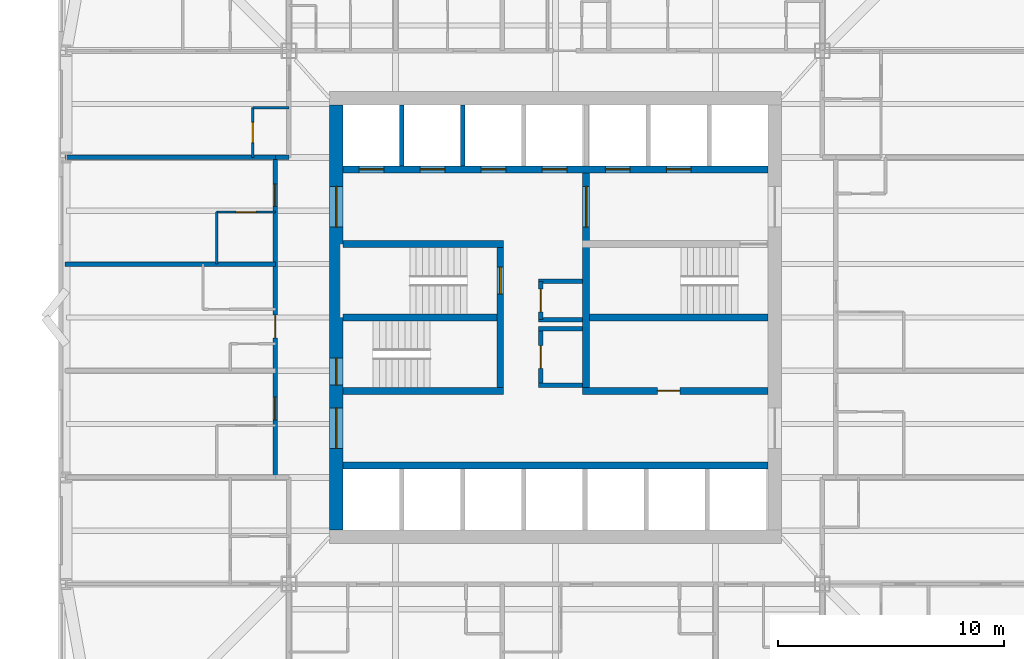
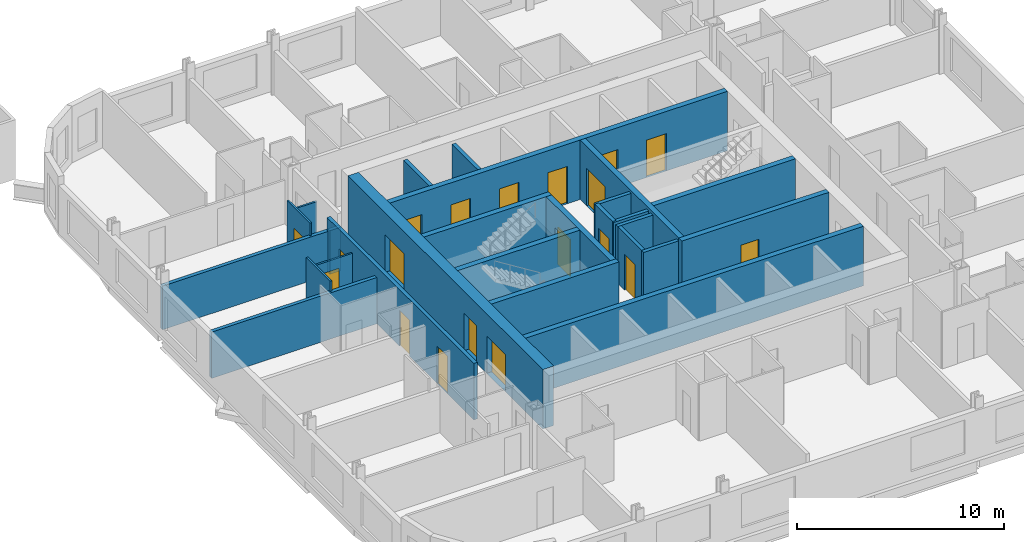
# One storey, part 4 of 9: 26 walls, 19 doors, 19 openings.
"""IFC4 building model written with IfcOpenShell, lengths in metres."""

from ifc_helpers import new_model, si_unit, direction, frame, frame_2d, origin, place, context, subcontext, project, spatial, rectangle, extrude, material, layer, layer_set, type_object, element, fill, save


model = new_model("IFC4")

# Units and contexts
model_context = context("Model", 3, precision=1e-05, world=origin(), true_north=direction((0.0, 1.0)))
body_context = subcontext(model_context, "Body", "Model", "MODEL_VIEW")
ifc_project = project(units=[si_unit("LENGTHUNIT", "METRE"), si_unit("AREAUNIT", "SQUARE_METRE"), si_unit("VOLUMEUNIT", "CUBIC_METRE"), si_unit("PLANEANGLEUNIT", "RADIAN"), si_unit("MASSUNIT", "GRAM", prefix="KILO")], contexts=[model_context])

# Site, building, storey
site_placement = place(None, origin())
site = spatial("IfcSite", under=ifc_project, at=site_placement, CompositionType="ELEMENT")
building_placement = place(site_placement, origin())
building = spatial("IfcBuilding", under=site, at=building_placement, Name="Turquesa Mirador Hotel Tower", CompositionType="ELEMENT")
storey_placement = place(building_placement, frame((0.0, 0.0, 56.5)))
storey = spatial("IfcBuildingStorey", under=building, at=storey_placement, Name="L14", CompositionType="ELEMENT", Elevation=56.5)

# Wall, opening, door
ifc_material_1 = material(Name="Gypsum board on steel studs", Category="steel")
ifc_layer_1 = layer(ifc_material_1, 0.10009765625)
ifc_layer_set_1 = layer_set([ifc_layer_1], Name="BATHROOM WALL 100")
wall_type_1 = type_object("IfcWallType", Name="BATHROOM WALL 100", PredefinedType="PARTITIONING", material=ifc_layer_set_1)
wall_1_placement = place(storey_placement, frame((40.0, 49.659912109375, 0.0), z_axis=(0.0, 0.0, 1.0), x_axis=(1.0, 0.0, 0.0)))
wall_1 = element("IfcWall", 1, at=wall_1_placement, inside=storey, type_object=wall_type_1, Name="Partition L14 039", PredefinedType="PARTITIONING", context=body_context, shape_type="SweptSolid", body=[
    extrude(rectangle(XDim=2.60009765625, YDim=0.10009765625, at=frame_2d((1.300048828125, 0.0))), origin(), (0.0, 0.0, 1.0), 2.722900390625),
])
opening_1_placement = place(wall_1_placement, frame((0.85009765625, 0.0, 0.0)))
opening_1 = element("IfcOpeningElement", 2, at=opening_1_placement, cuts=wall_1, Name="Opening D02", PredefinedType="OPENING", context=body_context, shape_type="SweptSolid", body=[
    extrude(rectangle(XDim=0.89990234375, YDim=2.10009765625, at=frame_2d((0.449951171875, 1.050048828125))), frame((0.0, 0.06005859375, 0.0), z_axis=(0.0, -1.0, 0.0), x_axis=(1.0, 0.0, 0.0)), (0.0, 0.0, 1.0), 0.1201171875),
])
ifc_material_2 = material(Name="Timber veneered door", Category="wood")
door_type_1 = type_object("IfcDoorType", Name="DOOR 900X2100 EN-SUITE", OperationType="SINGLE_SWING_RIGHT", PredefinedType="DOOR", material=ifc_material_2)
door_1_placement = place(opening_1_placement, origin())
door_1 = element("IfcDoor", 3, at=door_1_placement, inside=storey, type_object=door_type_1, Name="Door 1412B", OperationType="SINGLE_SWING_RIGHT", OverallHeight=2.10009765625, OverallWidth=0.89990234375, PredefinedType="DOOR", context=body_context, shape_type="SweptSolid", body=[
    extrude(rectangle(XDim=0.89990234375, YDim=2.10009765625, at=frame_2d((0.449951171875, 1.050048828125))), frame((0.0, 0.02490234375, 0.0), z_axis=(0.0, -1.0, 0.0), x_axis=(1.0, 0.0, 0.0)), (0.0, 0.0, 1.0), 0.050048828125),
])
fill(opening_1, door_1)

# Wall
wall_2_placement = place(storey_placement, frame((41.60009765625, 54.280029296875, 0.0), z_axis=(0.0, 0.0, 1.0), x_axis=(1.0, 0.0, 0.0)))
element("IfcWall", 4, at=wall_2_placement, inside=storey, type_object=wall_type_1, Name="Partition L14 046", PredefinedType="PARTITIONING", context=body_context, shape_type="SweptSolid", body=[
    extrude(rectangle(XDim=1.599853515625, YDim=0.10009765625, at=frame_2d((0.7998046875, 0.0))), origin(), (0.0, 0.0, 1.0), 2.722900390625),
])

# Wall, opening, door
wall_3_placement = place(storey_placement, frame((41.60009765625, 52.080078125, 0.0), z_axis=(0.0, 0.0, 1.0), x_axis=(0.0, 1.0, 0.0)))
wall_3 = element("IfcWall", 5, at=wall_3_placement, inside=storey, type_object=wall_type_1, Name="Partition L14 055", PredefinedType="PARTITIONING", context=body_context, shape_type="SweptSolid", body=[
    extrude(rectangle(XDim=2.199951171875, YDim=0.10009765625, at=frame_2d((1.10009765625, 0.0))), origin(), (0.0, 0.0, 1.0), 3.330078125),
])
opening_2_placement = place(wall_3_placement, frame((0.64990234375, 0.0, 0.0)))
opening_2 = element("IfcOpeningElement", 6, at=opening_2_placement, cuts=wall_3, Name="Opening D06", PredefinedType="OPENING", context=body_context, shape_type="SweptSolid", body=[
    extrude(rectangle(XDim=0.89990234375, YDim=2.10009765625, at=frame_2d((0.449951171875, 1.050048828125))), frame((0.0, 0.06005859375, 0.0), z_axis=(0.0, -1.0, 0.0), x_axis=(1.0, 0.0, 0.0)), (0.0, 0.0, 1.0), 0.1201171875),
])
ifc_material_3 = material(Name="Laminate door", Category="wood")
door_type_2 = type_object("IfcDoorType", Name="DOOR 900X2100 WC", OperationType="SINGLE_SWING_LEFT", PredefinedType="DOOR", material=ifc_material_3)
door_2_placement = place(opening_2_placement, origin())
door_2 = element("IfcDoor", 7, at=door_2_placement, inside=storey, type_object=door_type_2, Name="Door 1414W", OperationType="SINGLE_SWING_LEFT", OverallHeight=2.10009765625, OverallWidth=0.89990234375, PredefinedType="DOOR", context=body_context, shape_type="SweptSolid", body=[
    extrude(rectangle(XDim=0.89990234375, YDim=2.10009765625, at=frame_2d((0.449951171875, 1.050048828125))), frame((0.0, 0.02490234375, 0.0), z_axis=(0.0, -1.0, 0.0), x_axis=(1.0, 0.0, 0.0)), (0.0, 0.0, 1.0), 0.050048828125),
])
fill(opening_2, door_2)

# Wall
wall_4_placement = place(storey_placement, frame((40.0, 47.360107421875, 0.0), z_axis=(0.0, 0.0, 1.0), x_axis=(0.0, 1.0, 0.0)))
element("IfcWall", 8, at=wall_4_placement, inside=storey, type_object=wall_type_1, Name="Partition L14 061", PredefinedType="PARTITIONING", context=body_context, shape_type="SweptSolid", body=[
    extrude(rectangle(XDim=2.2998046875, YDim=0.10009765625, at=frame_2d((1.14990234375, 0.0))), origin(), (0.0, 0.0, 1.0), 3.330078125),
])

# Wall, openings, doors
ifc_material_4 = material(Name="Concrete C50/60", Category="concrete")
ifc_layer_2 = layer(ifc_material_4, 0.300048828125)
ifc_layer_set_2 = layer_set([ifc_layer_2], Name="CORE INNER WALL 300")
wall_type_2 = type_object("IfcWallType", Name="CORE INNER WALL 300", PredefinedType="SHEAR", material=ifc_layer_set_2)
wall_5_placement = place(storey_placement, frame((45.60009765625, 51.550048828125, 0.0), z_axis=(0.0, 0.0, 1.0), x_axis=(1.0, 0.0, 0.0)))
wall_5 = element("IfcWall", 9, at=wall_5_placement, inside=storey, type_object=wall_type_2, Name="Core wall NL", PredefinedType="SHEAR", context=body_context, shape_type="SweptSolid", body=[
    extrude(rectangle(XDim=18.7998046875, YDim=0.300048828125, at=frame_2d((9.39990234375, 0.0))), origin(), (0.0, 0.0, 1.0), 3.5),
])
opening_3_placement = place(wall_5_placement, frame((0.699951171875, 0.0, 0.0)))
opening_3 = element("IfcOpeningElement", 10, at=opening_3_placement, cuts=wall_5, Name="Opening LD", PredefinedType="OPENING", context=body_context, shape_type="SweptSolid", body=[
    extrude(rectangle(XDim=1.10009765625, YDim=2.199951171875, at=frame_2d((0.550048828125, 1.10009765625))), frame((0.0, 0.159912109375, 0.0), z_axis=(0.0, -1.0, 0.0), x_axis=(1.0, 0.0, 0.0)), (0.0, 0.0, 1.0), 0.320068359375),
])
opening_4_placement = place(wall_5_placement, frame((3.39990234375, 0.0, 0.0)))
opening_4 = element("IfcOpeningElement", 11, at=opening_4_placement, cuts=wall_5, Name="Opening LD", PredefinedType="OPENING", context=body_context, shape_type="SweptSolid", body=[
    extrude(rectangle(XDim=1.10009765625, YDim=2.199951171875, at=frame_2d((0.550048828125, 1.10009765625))), frame((0.0, 0.159912109375, 0.0), z_axis=(0.0, -1.0, 0.0), x_axis=(1.0, 0.0, 0.0)), (0.0, 0.0, 1.0), 0.320068359375),
])
opening_5_placement = place(wall_5_placement, frame((6.10009765625, 0.0, 0.0)))
opening_5 = element("IfcOpeningElement", 12, at=opening_5_placement, cuts=wall_5, Name="Opening LD", PredefinedType="OPENING", context=body_context, shape_type="SweptSolid", body=[
    extrude(rectangle(XDim=1.10009765625, YDim=2.199951171875, at=frame_2d((0.550048828125, 1.10009765625))), frame((0.0, 0.159912109375, 0.0), z_axis=(0.0, -1.0, 0.0), x_axis=(1.0, 0.0, 0.0)), (0.0, 0.0, 1.0), 0.320068359375),
])
opening_6_placement = place(wall_5_placement, frame((8.800048828125, 0.0, 0.0)))
opening_6 = element("IfcOpeningElement", 13, at=opening_6_placement, cuts=wall_5, Name="Opening LD", PredefinedType="OPENING", context=body_context, shape_type="SweptSolid", body=[
    extrude(rectangle(XDim=1.10009765625, YDim=2.199951171875, at=frame_2d((0.550048828125, 1.10009765625))), frame((0.0, 0.159912109375, 0.0), z_axis=(0.0, -1.0, 0.0), x_axis=(1.0, 0.0, 0.0)), (0.0, 0.0, 1.0), 0.320068359375),
])
opening_7_placement = place(wall_5_placement, frame((11.60009765625, 0.0, 0.0)))
opening_7 = element("IfcOpeningElement", 14, at=opening_7_placement, cuts=wall_5, Name="Opening LD", PredefinedType="OPENING", context=body_context, shape_type="SweptSolid", body=[
    extrude(rectangle(XDim=1.10009765625, YDim=2.199951171875, at=frame_2d((0.550048828125, 1.10009765625))), frame((0.0, 0.159912109375, 0.0), z_axis=(0.0, -1.0, 0.0), x_axis=(1.0, 0.0, 0.0)), (0.0, 0.0, 1.0), 0.320068359375),
])
opening_8_placement = place(wall_5_placement, frame((14.300048828125, 0.0, 0.0)))
opening_8 = element("IfcOpeningElement", 15, at=opening_8_placement, cuts=wall_5, Name="Opening LD", PredefinedType="OPENING", context=body_context, shape_type="SweptSolid", body=[
    extrude(rectangle(XDim=1.10009765625, YDim=2.199951171875, at=frame_2d((0.550048828125, 1.10009765625))), frame((0.0, 0.159912109375, 0.0), z_axis=(0.0, -1.0, 0.0), x_axis=(1.0, 0.0, 0.0)), (0.0, 0.0, 1.0), 0.320068359375),
])
ifc_material_5 = material(Name="Stainless steel lift landing door", Category="steel")
door_type_3 = type_object("IfcDoorType", Name="LIFT LANDING DOOR 1100X2200", OperationType="SLIDING_TO_LEFT", PredefinedType="DOOR", material=ifc_material_5)
door_3_placement = place(opening_3_placement, origin())
door_3 = element("IfcDoor", 16, at=door_3_placement, inside=storey, type_object=door_type_3, Name="Lift A1 landing door", OperationType="SLIDING_TO_LEFT", OverallHeight=2.199951171875, OverallWidth=1.10009765625, PredefinedType="DOOR", context=body_context, shape_type="SweptSolid", body=[
    extrude(rectangle(XDim=1.10009765625, YDim=2.199951171875, at=frame_2d((0.550048828125, 1.10009765625))), frame((0.0, 0.02490234375, 0.0), z_axis=(0.0, -1.0, 0.0), x_axis=(1.0, 0.0, 0.0)), (0.0, 0.0, 1.0), 0.050048828125),
])
fill(opening_3, door_3)
door_4_placement = place(opening_4_placement, origin())
door_4 = element("IfcDoor", 17, at=door_4_placement, inside=storey, type_object=door_type_3, Name="Lift A2 landing door", OperationType="SLIDING_TO_LEFT", OverallHeight=2.199951171875, OverallWidth=1.10009765625, PredefinedType="DOOR", context=body_context, shape_type="SweptSolid", body=[
    extrude(rectangle(XDim=1.10009765625, YDim=2.199951171875, at=frame_2d((0.550048828125, 1.10009765625))), frame((0.0, 0.02490234375, 0.0), z_axis=(0.0, -1.0, 0.0), x_axis=(1.0, 0.0, 0.0)), (0.0, 0.0, 1.0), 0.050048828125),
])
fill(opening_4, door_4)
door_5_placement = place(opening_5_placement, origin())
door_5 = element("IfcDoor", 18, at=door_5_placement, inside=storey, type_object=door_type_3, Name="Lift A3 landing door", OperationType="SLIDING_TO_LEFT", OverallHeight=2.199951171875, OverallWidth=1.10009765625, PredefinedType="DOOR", context=body_context, shape_type="SweptSolid", body=[
    extrude(rectangle(XDim=1.10009765625, YDim=2.199951171875, at=frame_2d((0.550048828125, 1.10009765625))), frame((0.0, 0.02490234375, 0.0), z_axis=(0.0, -1.0, 0.0), x_axis=(1.0, 0.0, 0.0)), (0.0, 0.0, 1.0), 0.050048828125),
])
fill(opening_5, door_5)
door_6_placement = place(opening_6_placement, origin())
door_6 = element("IfcDoor", 19, at=door_6_placement, inside=storey, type_object=door_type_3, Name="Lift A4 landing door", OperationType="SLIDING_TO_LEFT", OverallHeight=2.199951171875, OverallWidth=1.10009765625, PredefinedType="DOOR", context=body_context, shape_type="SweptSolid", body=[
    extrude(rectangle(XDim=1.10009765625, YDim=2.199951171875, at=frame_2d((0.550048828125, 1.10009765625))), frame((0.0, 0.02490234375, 0.0), z_axis=(0.0, -1.0, 0.0), x_axis=(1.0, 0.0, 0.0)), (0.0, 0.0, 1.0), 0.050048828125),
])
fill(opening_6, door_6)
door_7_placement = place(opening_7_placement, origin())
door_7 = element("IfcDoor", 20, at=door_7_placement, inside=storey, type_object=door_type_3, Name="Lift S1 landing door", OperationType="SLIDING_TO_LEFT", OverallHeight=2.199951171875, OverallWidth=1.10009765625, PredefinedType="DOOR", context=body_context, shape_type="SweptSolid", body=[
    extrude(rectangle(XDim=1.10009765625, YDim=2.199951171875, at=frame_2d((0.550048828125, 1.10009765625))), frame((0.0, 0.02490234375, 0.0), z_axis=(0.0, -1.0, 0.0), x_axis=(1.0, 0.0, 0.0)), (0.0, 0.0, 1.0), 0.050048828125),
])
fill(opening_7, door_7)
door_8_placement = place(opening_8_placement, origin())
door_8 = element("IfcDoor", 21, at=door_8_placement, inside=storey, type_object=door_type_3, Name="Lift S2 landing door", OperationType="SLIDING_TO_LEFT", OverallHeight=2.199951171875, OverallWidth=1.10009765625, PredefinedType="DOOR", context=body_context, shape_type="SweptSolid", body=[
    extrude(rectangle(XDim=1.10009765625, YDim=2.199951171875, at=frame_2d((0.550048828125, 1.10009765625))), frame((0.0, 0.02490234375, 0.0), z_axis=(0.0, -1.0, 0.0), x_axis=(1.0, 0.0, 0.0)), (0.0, 0.0, 1.0), 0.050048828125),
])
fill(opening_8, door_8)

# Walls
wall_6_placement = place(storey_placement, frame((45.60009765625, 38.449951171875, 0.0), z_axis=(0.0, 0.0, 1.0), x_axis=(1.0, 0.0, 0.0)))
element("IfcWall", 22, at=wall_6_placement, inside=storey, type_object=wall_type_2, Name="Core wall SL", PredefinedType="SHEAR", context=body_context, shape_type="SweptSolid", body=[
    extrude(rectangle(XDim=18.7998046875, YDim=0.300048828125, at=frame_2d((9.39990234375, 0.0))), origin(), (0.0, 0.0, 1.0), 3.5),
])
for number, where, z_axis, x_axis, name in (
    (23, (45.60009765625, 48.25, 0.0), (0.0, 0.0, 1.0), (1.0, 0.0, 0.0), "Core wall MN-W"),
    (24, (45.60009765625, 41.75, 0.0), (0.0, 0.0, 1.0), (1.0, 0.0, 0.0), "Core wall MS-W"),
):
    element("IfcWall", number, at=place(storey_placement, frame(where, z_axis=z_axis, x_axis=x_axis)), inside=storey, type_object=wall_type_2, Name=name, PredefinedType="SHEAR", context=body_context, shape_type="SweptSolid", body=[
        extrude(rectangle(XDim=7.099853515625, YDim=0.300048828125, at=frame_2d((3.5498046875, 0.0))), origin(), (0.0, 0.0, 1.0), 3.5),
    ])

# Wall, opening, door
wall_7_placement = place(storey_placement, frame((56.199951171875, 41.75, 0.0), z_axis=(0.0, 0.0, 1.0), x_axis=(1.0, 0.0, 0.0)))
wall_7 = element("IfcWall", 25, at=wall_7_placement, inside=storey, type_object=wall_type_2, Name="Core wall MS-E", PredefinedType="SHEAR", context=body_context, shape_type="SweptSolid", body=[
    extrude(rectangle(XDim=8.199951171875, YDim=0.300048828125, at=frame_2d((4.10009765625, 0.0))), origin(), (0.0, 0.0, 1.0), 3.5),
])
opening_9_placement = place(wall_7_placement, frame((3.300048828125, 0.0, 0.0)))
opening_9 = element("IfcOpeningElement", 26, at=opening_9_placement, cuts=wall_7, Name="Opening D05", PredefinedType="OPENING", context=body_context, shape_type="SweptSolid", body=[
    extrude(rectangle(XDim=1.0, YDim=2.10009765625, at=frame_2d((0.5, 1.050048828125))), frame((0.0, 0.159912109375, 0.0), z_axis=(0.0, -1.0, 0.0), x_axis=(1.0, 0.0, 0.0)), (0.0, 0.0, 1.0), 0.320068359375),
])
ifc_material_6 = material(Name="Steel fire door", Category="steel")
door_type_4 = type_object("IfcDoorType", Name="DOOR 1000X2100 SERVICE", OperationType="SINGLE_SWING_LEFT", PredefinedType="DOOR", material=ifc_material_6)
door_9_placement = place(opening_9_placement, origin())
door_9 = element("IfcDoor", 27, at=door_9_placement, inside=storey, type_object=door_type_4, Name="Housekeeping room door", OperationType="SINGLE_SWING_LEFT", OverallHeight=2.10009765625, OverallWidth=1.0, PredefinedType="DOOR", context=body_context, shape_type="SweptSolid", body=[
    extrude(rectangle(XDim=1.0, YDim=2.10009765625, at=frame_2d((0.5, 1.050048828125))), frame((0.0, 0.02490234375, 0.0), z_axis=(0.0, -1.0, 0.0), x_axis=(1.0, 0.0, 0.0)), (0.0, 0.0, 1.0), 0.050048828125),
])
fill(opening_9, door_9)

wall_8_placement = place(storey_placement, frame((52.550048828125, 41.89990234375, 0.0), z_axis=(0.0, 0.0, 1.0), x_axis=(0.0, 1.0, 0.0)))
wall_8 = element("IfcWall", 28, at=wall_8_placement, inside=storey, type_object=wall_type_2, Name="Core wall PW", PredefinedType="SHEAR", context=body_context, shape_type="SweptSolid", body=[
    extrude(rectangle(XDim=6.2001953125, YDim=0.300048828125, at=frame_2d((3.10009765625, 0.0))), origin(), (0.0, 0.0, 1.0), 3.5),
])
opening_10_placement = place(wall_8_placement, frame((4.125, 0.0, 0.0)))
opening_10 = element("IfcOpeningElement", 29, at=opening_10_placement, cuts=wall_8, Name="Opening D03", PredefinedType="OPENING", context=body_context, shape_type="SweptSolid", body=[
    extrude(rectangle(XDim=1.199951171875, YDim=2.199951171875, at=frame_2d((0.60009765625, 1.10009765625))), frame((0.0, 0.159912109375, 0.0), z_axis=(0.0, -1.0, 0.0), x_axis=(1.0, 0.0, 0.0)), (0.0, 0.0, 1.0), 0.320068359375),
])
ifc_material_7 = material(Name="Steel fire door", Category="steel")
door_type_5 = type_object("IfcDoorType", Name="DOOR 1200X2200 STAIR", OperationType="SINGLE_SWING_LEFT", PredefinedType="DOOR", material=ifc_material_7)
door_10_placement = place(opening_10_placement, origin())
door_10 = element("IfcDoor", 30, at=door_10_placement, inside=storey, type_object=door_type_5, Name="Stair ST1 door", OperationType="SINGLE_SWING_LEFT", OverallHeight=2.199951171875, OverallWidth=1.199951171875, PredefinedType="DOOR", context=body_context, shape_type="SweptSolid", body=[
    extrude(rectangle(XDim=1.199951171875, YDim=2.199951171875, at=frame_2d((0.60009765625, 1.10009765625))), frame((0.0, 0.02490234375, 0.0), z_axis=(0.0, -1.0, 0.0), x_axis=(1.0, 0.0, 0.0)), (0.0, 0.0, 1.0), 0.050048828125),
])
fill(opening_10, door_10)

wall_9_placement = place(storey_placement, frame((56.35009765625, 41.89990234375, 0.0), z_axis=(0.0, 0.0, 1.0), x_axis=(0.0, 1.0, 0.0)))
wall_9 = element("IfcWall", 31, at=wall_9_placement, inside=storey, type_object=wall_type_2, Name="Core wall PE", PredefinedType="SHEAR", context=body_context, shape_type="SweptSolid", body=[
    extrude(rectangle(XDim=9.5, YDim=0.300048828125, at=frame_2d((4.75, 0.0))), origin(), (0.0, 0.0, 1.0), 3.5),
])
opening_11_placement = place(wall_9_placement, frame((7.10009765625, 0.0, 0.0)))
opening_11 = element("IfcOpeningElement", 32, at=opening_11_placement, cuts=wall_9, Name="Opening D04", PredefinedType="OPENING", context=body_context, shape_type="SweptSolid", body=[
    extrude(rectangle(XDim=1.800048828125, YDim=2.199951171875, at=frame_2d((0.89990234375, 1.10009765625))), frame((0.0, 0.159912109375, 0.0), z_axis=(0.0, -1.0, 0.0), x_axis=(1.0, 0.0, 0.0)), (0.0, 0.0, 1.0), 0.320068359375),
])
ifc_material_8 = material(Name="Steel fire door pair", Category="steel")
door_type_6 = type_object("IfcDoorType", Name="DOOR 1800X2200 PAIR", OperationType="DOUBLE_DOOR_SINGLE_SWING", PredefinedType="DOOR", material=ifc_material_8)
door_11_placement = place(opening_11_placement, origin())
door_11 = element("IfcDoor", 33, at=door_11_placement, inside=storey, type_object=door_type_6, Name="Firefighting lobby inner door", OperationType="DOUBLE_DOOR_SINGLE_SWING", OverallHeight=2.199951171875, OverallWidth=1.800048828125, PredefinedType="DOOR", context=body_context, shape_type="SweptSolid", body=[
    extrude(rectangle(XDim=1.800048828125, YDim=2.199951171875, at=frame_2d((0.89990234375, 1.10009765625))), frame((0.0, 0.02490234375, 0.0), z_axis=(0.0, -1.0, 0.0), x_axis=(1.0, 0.0, 0.0)), (0.0, 0.0, 1.0), 0.050048828125),
])
fill(opening_11, door_11)

# Walls
wall_10_placement = place(storey_placement, frame((45.60009765625, 45.0, 0.0), z_axis=(0.0, 0.0, 1.0), x_axis=(1.0, 0.0, 0.0)))
element("IfcWall", 34, at=wall_10_placement, inside=storey, type_object=wall_type_2, Name="Core wall M0-W", PredefinedType="SHEAR", context=body_context, shape_type="SweptSolid", body=[
    extrude(rectangle(XDim=6.7998046875, YDim=0.300048828125, at=frame_2d((3.39990234375, 0.0))), origin(), (0.0, 0.0, 1.0), 3.5),
])
wall_11_placement = place(storey_placement, frame((56.5, 45.0, 0.0), z_axis=(0.0, 0.0, 1.0), x_axis=(1.0, 0.0, 0.0)))
element("IfcWall", 35, at=wall_11_placement, inside=storey, type_object=wall_type_2, Name="Core wall M0-E", PredefinedType="SHEAR", context=body_context, shape_type="SweptSolid", body=[
    extrude(rectangle(XDim=7.89990234375, YDim=0.300048828125, at=frame_2d((3.949951171875, 0.0))), origin(), (0.0, 0.0, 1.0), 3.5),
])

# Wall, openings, doors
ifc_material_9 = material(Name="Concrete C50/60", Category="concrete")
ifc_layer_3 = layer(ifc_material_9, 0.60009765625)
ifc_layer_set_3 = layer_set([ifc_layer_3], Name="CORE WALL 600")
wall_type_3 = type_object("IfcWallType", Name="CORE WALL 600", PredefinedType="SHEAR", material=ifc_layer_set_3)
wall_12_placement = place(storey_placement, frame((45.300048828125, 35.60009765625, 0.0), z_axis=(0.0, 0.0, 1.0), x_axis=(0.0, 1.0, 0.0)))
wall_12 = element("IfcWall", 36, at=wall_12_placement, inside=storey, type_object=wall_type_3, Name="Core wall W", PredefinedType="SHEAR", context=body_context, shape_type="SweptSolid", body=[
    extrude(rectangle(XDim=18.7998046875, YDim=0.60009765625, at=frame_2d((9.39990234375, 0.0))), origin(), (0.0, 0.0, 1.0), 3.5),
])
opening_12_placement = place(wall_12_placement, frame((13.39990234375, 0.0, 0.0)))
opening_12 = element("IfcOpeningElement", 37, at=opening_12_placement, cuts=wall_12, Name="Opening D04", PredefinedType="OPENING", context=body_context, shape_type="SweptSolid", body=[
    extrude(rectangle(XDim=1.800048828125, YDim=2.199951171875, at=frame_2d((0.89990234375, 1.10009765625))), frame((0.0, 0.31005859375, 0.0), z_axis=(0.0, -1.0, 0.0), x_axis=(1.0, 0.0, 0.0)), (0.0, 0.0, 1.0), 0.6201171875),
])
opening_13_placement = place(wall_12_placement, frame((3.60009765625, 0.0, 0.0)))
opening_13 = element("IfcOpeningElement", 38, at=opening_13_placement, cuts=wall_12, Name="Opening D04", PredefinedType="OPENING", context=body_context, shape_type="SweptSolid", body=[
    extrude(rectangle(XDim=1.800048828125, YDim=2.199951171875, at=frame_2d((0.89990234375, 1.10009765625))), frame((0.0, 0.31005859375, 0.0), z_axis=(0.0, -1.0, 0.0), x_axis=(1.0, 0.0, 0.0)), (0.0, 0.0, 1.0), 0.6201171875),
])
opening_14_placement = place(wall_12_placement, frame((6.39990234375, 0.0, 0.0)))
opening_14 = element("IfcOpeningElement", 39, at=opening_14_placement, cuts=wall_12, Name="Opening D03", PredefinedType="OPENING", context=body_context, shape_type="SweptSolid", body=[
    extrude(rectangle(XDim=1.199951171875, YDim=2.199951171875, at=frame_2d((0.60009765625, 1.10009765625))), frame((0.0, 0.31005859375, 0.0), z_axis=(0.0, -1.0, 0.0), x_axis=(1.0, 0.0, 0.0)), (0.0, 0.0, 1.0), 0.6201171875),
])
door_12_placement = place(opening_14_placement, origin())
door_12 = element("IfcDoor", 40, at=door_12_placement, inside=storey, type_object=door_type_5, Name="Stair ST2 door", OperationType="SINGLE_SWING_LEFT", OverallHeight=2.199951171875, OverallWidth=1.199951171875, PredefinedType="DOOR", context=body_context, shape_type="SweptSolid", body=[
    extrude(rectangle(XDim=1.199951171875, YDim=2.199951171875, at=frame_2d((0.60009765625, 1.10009765625))), frame((0.0, 0.02490234375, 0.0), z_axis=(0.0, -1.0, 0.0), x_axis=(1.0, 0.0, 0.0)), (0.0, 0.0, 1.0), 0.050048828125),
])
fill(opening_14, door_12)
door_13_placement = place(opening_12_placement, origin())
door_13 = element("IfcDoor", 41, at=door_13_placement, inside=storey, type_object=door_type_6, Name="North lift lobby door", OperationType="DOUBLE_DOOR_SINGLE_SWING", OverallHeight=2.199951171875, OverallWidth=1.800048828125, PredefinedType="DOOR", context=body_context, shape_type="SweptSolid", body=[
    extrude(rectangle(XDim=1.800048828125, YDim=2.199951171875, at=frame_2d((0.89990234375, 1.10009765625))), frame((0.0, 0.02490234375, 0.0), z_axis=(0.0, -1.0, 0.0), x_axis=(1.0, 0.0, 0.0)), (0.0, 0.0, 1.0), 0.050048828125),
])
fill(opening_12, door_13)
door_14_placement = place(opening_13_placement, origin())
door_14 = element("IfcDoor", 42, at=door_14_placement, inside=storey, type_object=door_type_6, Name="South lift lobby door", OperationType="DOUBLE_DOOR_SINGLE_SWING", OverallHeight=2.199951171875, OverallWidth=1.800048828125, PredefinedType="DOOR", context=body_context, shape_type="SweptSolid", body=[
    extrude(rectangle(XDim=1.800048828125, YDim=2.199951171875, at=frame_2d((0.89990234375, 1.10009765625))), frame((0.0, 0.02490234375, 0.0), z_axis=(0.0, -1.0, 0.0), x_axis=(1.0, 0.0, 0.0)), (0.0, 0.0, 1.0), 0.050048828125),
])
fill(opening_13, door_14)

# Wall
ifc_material_10 = material(Name="Fire-rated gypsum board on steel studs", Category="steel")
ifc_layer_4 = layer(ifc_material_10, 0.199951171875)
ifc_layer_set_4 = layer_set([ifc_layer_4], Name="CORRIDOR WALL 200")
wall_type_4 = type_object("IfcWallType", Name="CORRIDOR WALL 200", PredefinedType="PARTITIONING", material=ifc_layer_set_4)
wall_13_placement = place(storey_placement, frame((42.60009765625, 52.080078125, 0.0), z_axis=(0.0, 0.0, 1.0), x_axis=(1.0, 0.0, 0.0)))
element("IfcWall", 43, at=wall_13_placement, inside=storey, type_object=wall_type_4, Name="Partition L14 041", PredefinedType="PARTITIONING", context=body_context, shape_type="SweptSolid", body=[
    extrude(rectangle(XDim=0.599853515625, YDim=0.199951171875, at=frame_2d((0.2998046875, 0.0))), origin(), (0.0, 0.0, 1.0), 2.572998046875),
])

# Wall, openings, doors
wall_14_placement = place(storey_placement, frame((42.60009765625, 37.919921875, 0.0), z_axis=(0.0, 0.0, 1.0), x_axis=(0.0, 1.0, 0.0)))
wall_14 = element("IfcWall", 44, at=wall_14_placement, inside=storey, type_object=wall_type_4, Name="Partition L14 054", PredefinedType="PARTITIONING", context=body_context, shape_type="SweptSolid", body=[
    extrude(rectangle(XDim=14.16015625, YDim=0.199951171875, at=frame_2d((7.080078125, 0.0))), origin(), (0.0, 0.0, 1.0), 3.330078125),
])
opening_15_placement = place(wall_14_placement, frame((2.550048828125, 0.0, 0.0)))
opening_15 = element("IfcOpeningElement", 45, at=opening_15_placement, cuts=wall_14, Name="Opening D01", PredefinedType="OPENING", context=body_context, shape_type="SweptSolid", body=[
    extrude(rectangle(XDim=1.0, YDim=2.199951171875, at=frame_2d((0.5, 1.10009765625))), frame((0.0, 0.10986328125, 0.0), z_axis=(0.0, -1.0, 0.0), x_axis=(1.0, 0.0, 0.0)), (0.0, 0.0, 1.0), 0.219970703125),
])
opening_16_placement = place(wall_14_placement, frame((6.179931640625, 0.0, 0.0)))
opening_16 = element("IfcOpeningElement", 46, at=opening_16_placement, cuts=wall_14, Name="Opening D05", PredefinedType="OPENING", context=body_context, shape_type="SweptSolid", body=[
    extrude(rectangle(XDim=1.0, YDim=2.10009765625, at=frame_2d((0.5, 1.050048828125))), frame((0.0, 0.10986328125, 0.0), z_axis=(0.0, -1.0, 0.0), x_axis=(1.0, 0.0, 0.0)), (0.0, 0.0, 1.0), 0.219970703125),
])
opening_17_placement = place(wall_14_placement, frame((11.989990234375, 0.0, 0.0)))
opening_17 = element("IfcOpeningElement", 47, at=opening_17_placement, cuts=wall_14, Name="Opening D01", PredefinedType="OPENING", context=body_context, shape_type="SweptSolid", body=[
    extrude(rectangle(XDim=1.0, YDim=2.199951171875, at=frame_2d((0.5, 1.10009765625))), frame((0.0, 0.10986328125, 0.0), z_axis=(0.0, -1.0, 0.0), x_axis=(1.0, 0.0, 0.0)), (0.0, 0.0, 1.0), 0.219970703125),
])
door_15_placement = place(opening_16_placement, origin())
door_15 = element("IfcDoor", 48, at=door_15_placement, inside=storey, type_object=door_type_4, Name="Door 1411", OperationType="SINGLE_SWING_LEFT", OverallHeight=2.10009765625, OverallWidth=1.0, PredefinedType="DOOR", context=body_context, shape_type="SweptSolid", body=[
    extrude(rectangle(XDim=1.0, YDim=2.10009765625, at=frame_2d((0.5, 1.050048828125))), frame((0.0, 0.02490234375, 0.0), z_axis=(0.0, -1.0, 0.0), x_axis=(1.0, 0.0, 0.0)), (0.0, 0.0, 1.0), 0.050048828125),
])
fill(opening_16, door_15)
ifc_material_11 = material(Name="Timber veneered fire door", Category="wood")
door_type_7 = type_object("IfcDoorType", Name="DOOR 1000X2200 GUEST ENTRY", OperationType="SINGLE_SWING_LEFT", PredefinedType="DOOR", material=ifc_material_11)
door_16_placement = place(opening_15_placement, origin())
door_16 = element("IfcDoor", 49, at=door_16_placement, inside=storey, type_object=door_type_7, Name="Door 1410", OperationType="SINGLE_SWING_LEFT", OverallHeight=2.199951171875, OverallWidth=1.0, PredefinedType="DOOR", context=body_context, shape_type="SweptSolid", body=[
    extrude(rectangle(XDim=1.0, YDim=2.199951171875, at=frame_2d((0.5, 1.10009765625))), frame((0.0, 0.02490234375, 0.0), z_axis=(0.0, -1.0, 0.0), x_axis=(1.0, 0.0, 0.0)), (0.0, 0.0, 1.0), 0.050048828125),
])
fill(opening_15, door_16)
door_17_placement = place(opening_17_placement, origin())
door_17 = element("IfcDoor", 50, at=door_17_placement, inside=storey, type_object=door_type_7, Name="Door 1412", OperationType="SINGLE_SWING_LEFT", OverallHeight=2.199951171875, OverallWidth=1.0, PredefinedType="DOOR", context=body_context, shape_type="SweptSolid", body=[
    extrude(rectangle(XDim=1.0, YDim=2.199951171875, at=frame_2d((0.5, 1.10009765625))), frame((0.0, 0.02490234375, 0.0), z_axis=(0.0, -1.0, 0.0), x_axis=(1.0, 0.0, 0.0)), (0.0, 0.0, 1.0), 0.050048828125),
])
fill(opening_17, door_17)

# Wall, opening, door
ifc_material_12 = material(Name="Fire-rated gypsum board on steel studs", Category="steel")
ifc_layer_5 = layer(ifc_material_12, 0.199951171875)
ifc_layer_set_5 = layer_set([ifc_layer_5], Name="FIRE PARTITION 200")
wall_type_5 = type_object("IfcWallType", Name="FIRE PARTITION 200", PredefinedType="PARTITIONING", material=ifc_layer_set_5)
wall_15_placement = place(storey_placement, frame((54.35009765625, 42.0, 0.0), z_axis=(0.0, 0.0, 1.0), x_axis=(0.0, 1.0, 0.0)))
wall_15 = element("IfcWall", 51, at=wall_15_placement, inside=storey, type_object=wall_type_5, Name="Partition L14 PT W", PredefinedType="PARTITIONING", context=body_context, shape_type="SweptSolid", body=[
    extrude(rectangle(XDim=2.5, YDim=0.199951171875, at=frame_2d((1.25, 0.0))), origin(), (0.0, 0.0, 1.0), 3.330078125),
])
opening_18_placement = place(wall_15_placement, frame((0.75, 0.0, 0.0)))
opening_18 = element("IfcOpeningElement", 52, at=opening_18_placement, cuts=wall_15, Name="Opening D05", PredefinedType="OPENING", context=body_context, shape_type="SweptSolid", body=[
    extrude(rectangle(XDim=1.0, YDim=2.10009765625, at=frame_2d((0.5, 1.050048828125))), frame((0.0, 0.10986328125, 0.0), z_axis=(0.0, -1.0, 0.0), x_axis=(1.0, 0.0, 0.0)), (0.0, 0.0, 1.0), 0.219970703125),
])
door_18_placement = place(opening_18_placement, origin())
door_18 = element("IfcDoor", 53, at=door_18_placement, inside=storey, type_object=door_type_4, Name="Floor pantry door", OperationType="SINGLE_SWING_LEFT", OverallHeight=2.10009765625, OverallWidth=1.0, PredefinedType="DOOR", context=body_context, shape_type="SweptSolid", body=[
    extrude(rectangle(XDim=1.0, YDim=2.10009765625, at=frame_2d((0.5, 1.050048828125))), frame((0.0, 0.02490234375, 0.0), z_axis=(0.0, -1.0, 0.0), x_axis=(1.0, 0.0, 0.0)), (0.0, 0.0, 1.0), 0.050048828125),
])
fill(opening_18, door_18)

# Walls
for number, where, z_axis, x_axis, name in (
    (54, (54.25, 42.0, 0.0), (0.0, 0.0, 1.0), (1.0, 0.0, 0.0), "Partition L14 PT S"),
    (55, (54.25, 44.5, 0.0), (0.0, 0.0, 1.0), (1.0, 0.0, 0.0), "Partition L14 PT N"),
):
    element("IfcWall", number, at=place(storey_placement, frame(where, z_axis=z_axis, x_axis=x_axis)), inside=storey, type_object=wall_type_5, Name=name, PredefinedType="PARTITIONING", context=body_context, shape_type="SweptSolid", body=[
        extrude(rectangle(XDim=1.949951171875, YDim=0.199951171875, at=frame_2d((0.97509765625, 0.0))), origin(), (0.0, 0.0, 1.0), 3.330078125),
    ])

# Wall, opening, door
wall_16_placement = place(storey_placement, frame((54.35009765625, 44.89990234375, 0.0), z_axis=(0.0, 0.0, 1.0), x_axis=(0.0, 1.0, 0.0)))
wall_16 = element("IfcWall", 56, at=wall_16_placement, inside=storey, type_object=wall_type_5, Name="Partition L14 SW W", PredefinedType="PARTITIONING", context=body_context, shape_type="SweptSolid", body=[
    extrude(rectangle(XDim=1.7001953125, YDim=0.199951171875, at=frame_2d((0.85009765625, 0.0))), origin(), (0.0, 0.0, 1.0), 3.330078125),
])
opening_19_placement = place(wall_16_placement, frame((0.35009765625, 0.0, 0.0)))
opening_19 = element("IfcOpeningElement", 57, at=opening_19_placement, cuts=wall_16, Name="Opening D05", PredefinedType="OPENING", context=body_context, shape_type="SweptSolid", body=[
    extrude(rectangle(XDim=1.0, YDim=2.10009765625, at=frame_2d((0.5, 1.050048828125))), frame((0.0, 0.10986328125, 0.0), z_axis=(0.0, -1.0, 0.0), x_axis=(1.0, 0.0, 0.0)), (0.0, 0.0, 1.0), 0.219970703125),
])
door_19_placement = place(opening_19_placement, origin())
door_19 = element("IfcDoor", 58, at=door_19_placement, inside=storey, type_object=door_type_4, Name="Staff WC door", OperationType="SINGLE_SWING_LEFT", OverallHeight=2.10009765625, OverallWidth=1.0, PredefinedType="DOOR", context=body_context, shape_type="SweptSolid", body=[
    extrude(rectangle(XDim=1.0, YDim=2.10009765625, at=frame_2d((0.5, 1.050048828125))), frame((0.0, 0.02490234375, 0.0), z_axis=(0.0, -1.0, 0.0), x_axis=(1.0, 0.0, 0.0)), (0.0, 0.0, 1.0), 0.050048828125),
])
fill(opening_19, door_19)

# Walls
for number, where, z_axis, x_axis, name in (
    (59, (54.25, 44.89990234375, 0.0), (0.0, 0.0, 1.0), (1.0, 0.0, 0.0), "Partition L14 SW S"),
    (60, (54.25, 46.60009765625, 0.0), (0.0, 0.0, 1.0), (1.0, 0.0, 0.0), "Partition L14 SW N"),
):
    element("IfcWall", number, at=place(storey_placement, frame(where, z_axis=z_axis, x_axis=x_axis)), inside=storey, type_object=wall_type_5, Name=name, PredefinedType="PARTITIONING", context=body_context, shape_type="SweptSolid", body=[
        extrude(rectangle(XDim=1.949951171875, YDim=0.199951171875, at=frame_2d((0.97509765625, 0.0))), origin(), (0.0, 0.0, 1.0), 3.330078125),
    ])
ifc_material_13 = material(Name="Fire-rated gypsum shaft wall on steel studs", Category="steel")
ifc_layer_6 = layer(ifc_material_13, 0.199951171875)
ifc_layer_set_6 = layer_set([ifc_layer_6], Name="LIFT SHAFT DIVIDER 200")
wall_type_6 = type_object("IfcWallType", Name="LIFT SHAFT DIVIDER 200", PredefinedType="PARTITIONING", material=ifc_layer_set_6)
for number, where, z_axis, x_axis, name in (
    (61, (48.199951171875, 51.699951171875, 0.0), (0.0, 0.0, 1.0), (0.0, 1.0, 0.0), "Lift shaft divider"),
    (62, (50.89990234375, 51.699951171875, 0.0), (0.0, 0.0, 1.0), (0.0, 1.0, 0.0), "Lift shaft divider"),
):
    element("IfcWall", number, at=place(storey_placement, frame(where, z_axis=z_axis, x_axis=x_axis)), inside=storey, type_object=wall_type_6, Name=name, PredefinedType="PARTITIONING", context=body_context, shape_type="SweptSolid", body=[
        extrude(rectangle(XDim=2.699951171875, YDim=0.199951171875, at=frame_2d((1.35009765625, 0.0))), origin(), (0.0, 0.0, 1.0), 3.330078125),
    ])
ifc_material_14 = material(Name="Fire-rated gypsum board on steel studs", Category="steel")
ifc_layer_7 = layer(ifc_material_14, 0.199951171875)
ifc_layer_set_7 = layer_set([ifc_layer_7], Name="PARTY WALL 200")
wall_type_7 = type_object("IfcWallType", Name="PARTY WALL 200", PredefinedType="PARTITIONING", material=ifc_layer_set_7)
wall_17_placement = place(storey_placement, frame((33.300048828125, 47.360107421875, 0.0), z_axis=(0.0, 0.0, 1.0), x_axis=(1.0, 0.0, 0.0)))
element("IfcWall", 63, at=wall_17_placement, inside=storey, type_object=wall_type_7, Name="Partition L14 038", PredefinedType="PARTITIONING", context=body_context, shape_type="SweptSolid", body=[
    extrude(rectangle(XDim=9.300048828125, YDim=0.199951171875, at=frame_2d((4.64990234375, 0.0))), origin(), (0.0, 0.0, 1.0), 2.722900390625),
])
wall_18_placement = place(storey_placement, frame((33.300048828125, 52.080078125, 0.0), z_axis=(0.0, 0.0, 1.0), x_axis=(1.0, 0.0, 0.0)))
element("IfcWall", 64, at=wall_18_placement, inside=storey, type_object=wall_type_7, Name="Partition L14 043", PredefinedType="PARTITIONING", context=body_context, shape_type="SweptSolid", body=[
    extrude(rectangle(XDim=9.300048828125, YDim=0.199951171875, at=frame_2d((4.64990234375, 0.0))), origin(), (0.0, 0.0, 1.0), 2.572998046875),
])

save(model, "model.ifc")
